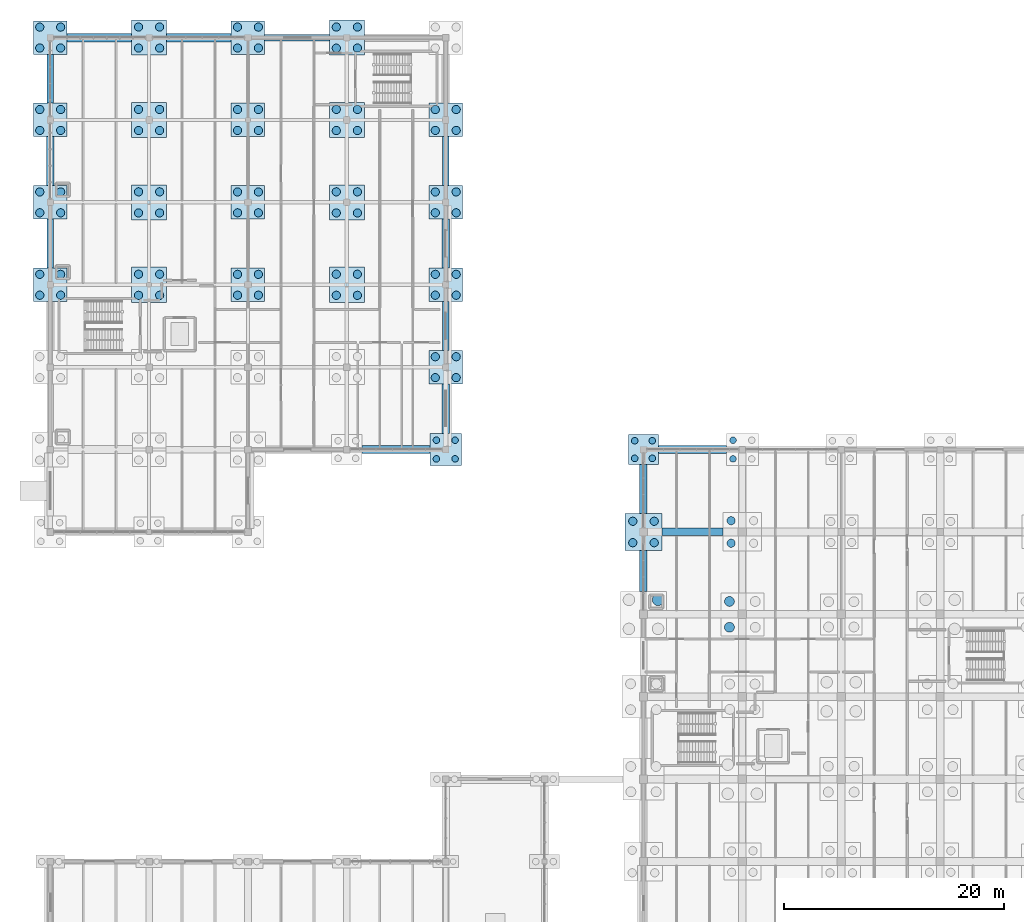
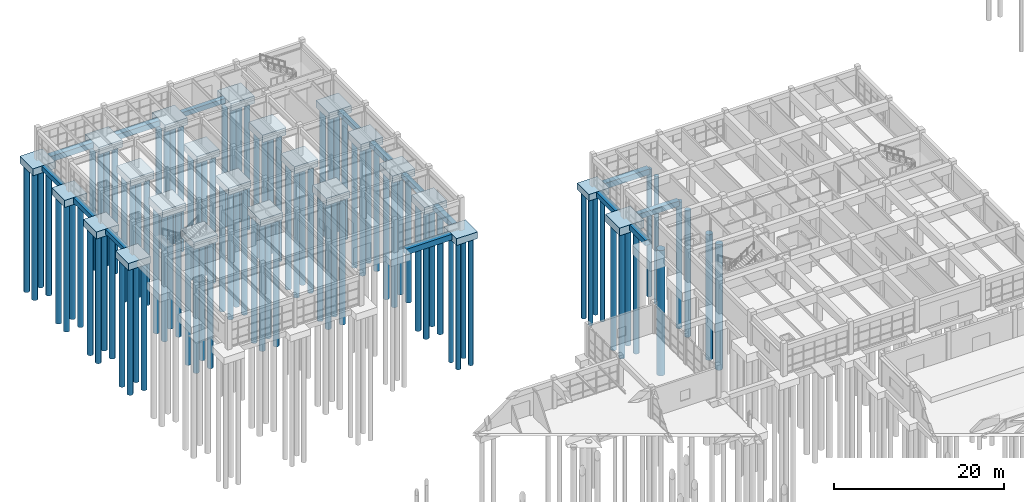
# One storey, part 6 of 93: 99 piles, 38 footings.
"""IFC4 building model written with IfcOpenShell, lengths in metres."""

from ifc_helpers import new_model, si_unit, direction, frame, origin, origin_2d, place, context, subcontext, project, spatial, rectangle, circle, extrude, material, material_profile, profile_set, type_object, element, save


model = new_model("IFC4")

# Units and contexts
model_context = context("Model", 3, precision=1e-05, world=origin(), true_north=direction((0.0, 1.0)))
body_context = subcontext(model_context, "Body", "Model", "MODEL_VIEW")
ifc_project = project(units=[si_unit("LENGTHUNIT", "METRE"), si_unit("AREAUNIT", "SQUARE_METRE"), si_unit("VOLUMEUNIT", "CUBIC_METRE"), si_unit("PLANEANGLEUNIT", "RADIAN"), si_unit("MASSUNIT", "GRAM", prefix="KILO")], contexts=[model_context])

# Site, building, storey
site_placement = place(None, origin())
site = spatial("IfcSite", under=ifc_project, at=site_placement, CompositionType="ELEMENT")
building_placement = place(site_placement, origin())
building = spatial("IfcBuilding", under=site, at=building_placement, Name="Marnridge Secondary College", CompositionType="ELEMENT")
storey_placement = place(building_placement, origin())
storey = spatial("IfcBuildingStorey", under=building, at=storey_placement, Name="L00", CompositionType="ELEMENT", Elevation=0.0)

# Footings
ifc_material_1 = material(Name="Concrete C40/50 (AS 3600 N40, 40 MPa)", Category="concrete")
footing_type_1 = type_object("IfcFootingType", Name="FT-PC-2750", PredefinedType="PILE_CAP", material=ifc_material_1)
footing_1_placement = place(storey_placement, frame((54.0, 82.5, -1.2001953125), z_axis=(0.0, 0.0, 1.0), x_axis=(1.0, 0.0, 0.0)))
element("IfcFooting", 1, at=footing_1_placement, inside=storey, type_object=footing_type_1, Name="Pile cap PC-123", PredefinedType="PILE_CAP", context=body_context, shape_type="SweptSolid", body=[
    extrude(rectangle(XDim=2.75, YDim=2.75, at=origin_2d()), origin(), (0.0, 0.0, 1.0), 0.949951171875),
])
ifc_material_2 = material(Name="Concrete C40/50 (AS 3600 N40, 40 MPa)", Category="concrete")
footing_type_2 = type_object("IfcFootingType", Name="FT-PC-2900", PredefinedType="PILE_CAP", material=ifc_material_2)
footing_2_placement = place(storey_placement, frame((36.0, 82.5, -1.22998046875), z_axis=(0.0, 0.0, 1.0), x_axis=(1.0, 0.0, 0.0)))
element("IfcFooting", 2, at=footing_2_placement, inside=storey, type_object=footing_type_2, Name="Pile cap PC-122", PredefinedType="PILE_CAP", context=body_context, shape_type="SweptSolid", body=[
    extrude(rectangle(XDim=2.89990234375, YDim=2.89990234375, at=origin_2d()), origin(), (0.0, 0.0, 1.0), 0.97998046875),
])
ifc_material_3 = material(Name="Concrete C40/50 (AS 3600 N40, 40 MPa)", Category="concrete")
footing_type_3 = type_object("IfcFootingType", Name="FT-PC-3050", PredefinedType="PILE_CAP", material=ifc_material_3)
for number, where, z_axis, x_axis, name in (
    (3, (36.0, 90.0, -1.25), (0.0, 0.0, 1.0), (1.0, 0.0, 0.0), "Pile cap PC-135"),
    (4, (0.0, 97.5, -1.25), (0.0, 0.0, 1.0), (1.0, 0.0, 0.0), "Pile cap PC-139"),
    (5, (18.0, 97.5, -1.25), (0.0, 0.0, 1.0), (1.0, 0.0, 0.0), "Pile cap PC-141"),
    (6, (36.0, 97.5, -1.25), (0.0, 0.0, 1.0), (1.0, 0.0, 0.0), "Pile cap PC-143"),
    (7, (0.0, 105.0, -1.25), (0.0, 0.0, 1.0), (1.0, 0.0, 0.0), "Pile cap PC-147"),
    (8, (18.0, 105.0, -1.25), (0.0, 0.0, 1.0), (1.0, 0.0, 0.0), "Pile cap PC-149"),
    (9, (36.0, 105.0, -1.25), (0.0, 0.0, 1.0), (1.0, 0.0, 0.0), "Pile cap PC-151"),
    (10, (0.0, 112.5, -1.25), (0.0, 0.0, 1.0), (1.0, 0.0, 0.0), "Pile cap PC-155"),
    (11, (18.0, 112.5, -1.25), (0.0, 0.0, 1.0), (1.0, 0.0, 0.0), "Pile cap PC-157"),
    (12, (36.0, 112.5, -1.25), (0.0, 0.0, 1.0), (1.0, 0.0, 0.0), "Pile cap PC-159"),
    (13, (0.0, 120.0, -1.25), (0.0, 0.0, 1.0), (1.0, 0.0, 0.0), "Pile cap PC-163"),
    (14, (18.0, 120.0, -1.25), (0.0, 0.0, 1.0), (1.0, 0.0, 0.0), "Pile cap PC-165"),
):
    element("IfcFooting", number, at=place(storey_placement, frame(where, z_axis=z_axis, x_axis=x_axis)), inside=storey, type_object=footing_type_3, Name=name, PredefinedType="PILE_CAP", context=body_context, shape_type="SweptSolid", body=[
        extrude(rectangle(XDim=3.050048828125, YDim=3.050048828125, at=origin_2d()), origin(), (0.0, 0.0, 1.0), 1.0),
    ])
ifc_material_4 = material(Name="Concrete C40/50 (AS 3600 N40, 40 MPa)", Category="concrete")
footing_type_4 = type_object("IfcFootingType", Name="FT-PC-3200", PredefinedType="PILE_CAP", material=ifc_material_4)
for number, where, z_axis, x_axis, name in (
    (15, (9.0, 97.5, -1.2998046875), (0.0, 0.0, 1.0), (1.0, 0.0, 0.0), "Pile cap PC-140"),
    (16, (27.0, 97.5, -1.2998046875), (0.0, 0.0, 1.0), (1.0, 0.0, 0.0), "Pile cap PC-142"),
    (17, (9.0, 105.0, -1.2998046875), (0.0, 0.0, 1.0), (1.0, 0.0, 0.0), "Pile cap PC-148"),
    (18, (27.0, 105.0, -1.2998046875), (0.0, 0.0, 1.0), (1.0, 0.0, 0.0), "Pile cap PC-150"),
    (19, (9.0, 112.5, -1.2998046875), (0.0, 0.0, 1.0), (1.0, 0.0, 0.0), "Pile cap PC-156"),
    (20, (27.0, 112.5, -1.2998046875), (0.0, 0.0, 1.0), (1.0, 0.0, 0.0), "Pile cap PC-158"),
    (21, (9.0, 120.0, -1.2998046875), (0.0, 0.0, 1.0), (1.0, 0.0, 0.0), "Pile cap PC-164"),
    (22, (27.0, 120.0, -1.2998046875), (0.0, 0.0, 1.0), (1.0, 0.0, 0.0), "Pile cap PC-166"),
):
    element("IfcFooting", number, at=place(storey_placement, frame(where, z_axis=z_axis, x_axis=x_axis)), inside=storey, type_object=footing_type_4, Name=name, PredefinedType="PILE_CAP", context=body_context, shape_type="SweptSolid", body=[
        extrude(rectangle(XDim=3.199951171875, YDim=3.199951171875, at=origin_2d()), origin(), (0.0, 0.0, 1.0), 1.050048828125),
    ])
ifc_material_5 = material(Name="Concrete C40/50 (AS 3600 N40, 40 MPa)", Category="concrete")
footing_type_5 = type_object("IfcFootingType", Name="FT-PC-3350", PredefinedType="PILE_CAP", material=ifc_material_5)
footing_3_placement = place(storey_placement, frame((54.0, 75.0, -1.35009765625), z_axis=(0.0, 0.0, 1.0), x_axis=(1.0, 0.0, 0.0)))
element("IfcFooting", 23, at=footing_3_placement, inside=storey, type_object=footing_type_5, Name="Pile cap PC-107", PredefinedType="PILE_CAP", context=body_context, shape_type="SweptSolid", body=[
    extrude(rectangle(XDim=3.35009765625, YDim=3.35009765625, at=origin_2d()), origin(), (0.0, 0.0, 1.0), 1.10009765625),
])
ifc_material_6 = material(Name="Concrete C40/50 (AS 3600 N40, 40 MPa)", Category="concrete")
footing_type_6 = type_object("IfcFootingType", Name="FT-SF-600", PredefinedType="STRIP_FOOTING", material=ifc_material_6)
for number, where, z_axis, x_axis, name in (
    (24, (0.0, 101.25, -0.9501953125), (0.0, 0.0, 1.0), (1.0, 0.0, 0.0), "Ground strip footing SF-015"),
    (25, (0.0, 116.25, -0.9501953125), (0.0, 0.0, 1.0), (1.0, 0.0, 0.0), "Ground strip footing SF-017"),
):
    element("IfcFooting", number, at=place(storey_placement, frame(where, z_axis=z_axis, x_axis=x_axis)), inside=storey, type_object=footing_type_6, Name=name, PredefinedType="STRIP_FOOTING", context=body_context, shape_type="SweptSolid", body=[
        extrude(rectangle(XDim=0.60009765625, YDim=4.449951171875, at=origin_2d()), origin(), (0.0, 0.0, 1.0), 0.699951171875),
    ])
footing_4_placement = place(storey_placement, frame((22.46240234375, 120.0, -0.9501953125), z_axis=(0.0, 0.0, 1.0), x_axis=(1.0, 0.0, 0.0)))
element("IfcFooting", 26, at=footing_4_placement, inside=storey, type_object=footing_type_6, Name="Ground strip footing SF-029", PredefinedType="STRIP_FOOTING", context=body_context, shape_type="SweptSolid", body=[
    extrude(rectangle(XDim=5.875, YDim=0.60009765625, at=origin_2d()), origin(), (0.0, 0.0, 1.0), 0.699951171875),
])
for number, where, z_axis, x_axis, name in (
    (27, (36.0, 93.75, -0.9501953125), (0.0, 0.0, 1.0), (1.0, 0.0, 0.0), "Ground strip footing SF-047"),
    (28, (36.0, 108.75, -0.9501953125), (0.0, 0.0, 1.0), (1.0, 0.0, 0.0), "Ground strip footing SF-049"),
):
    element("IfcFooting", number, at=place(storey_placement, frame(where, z_axis=z_axis, x_axis=x_axis)), inside=storey, type_object=footing_type_6, Name=name, PredefinedType="STRIP_FOOTING", context=body_context, shape_type="SweptSolid", body=[
        extrude(rectangle(XDim=0.60009765625, YDim=4.449951171875, at=origin_2d()), origin(), (0.0, 0.0, 1.0), 0.699951171875),
    ])
ifc_material_7 = material(Name="Concrete C40/50 (AS 3600 N40, 40 MPa)", Category="concrete")
footing_type_7 = type_object("IfcFootingType", Name="FT-SF-680", PredefinedType="STRIP_FOOTING", material=ifc_material_7)
footing_5_placement = place(storey_placement, frame((0.0, 108.75, -1.009765625), z_axis=(0.0, 0.0, 1.0), x_axis=(1.0, 0.0, 0.0)))
element("IfcFooting", 29, at=footing_5_placement, inside=storey, type_object=footing_type_7, Name="Ground strip footing SF-016", PredefinedType="STRIP_FOOTING", context=body_context, shape_type="SweptSolid", body=[
    extrude(rectangle(XDim=0.679931640625, YDim=4.449951171875, at=origin_2d()), origin(), (0.0, 0.0, 1.0), 0.760009765625),
])
footing_6_placement = place(storey_placement, frame((36.0, 86.21240234375, -1.009765625), z_axis=(0.0, 0.0, 1.0), x_axis=(1.0, 0.0, 0.0)))
element("IfcFooting", 30, at=footing_6_placement, inside=storey, type_object=footing_type_7, Name="Ground strip footing SF-046", PredefinedType="STRIP_FOOTING", context=body_context, shape_type="SweptSolid", body=[
    extrude(rectangle(XDim=0.679931640625, YDim=4.52490234375, at=origin_2d()), origin(), (0.0, 0.0, 1.0), 0.760009765625),
])
footing_7_placement = place(storey_placement, frame((36.0, 101.25, -1.009765625), z_axis=(0.0, 0.0, 1.0), x_axis=(1.0, 0.0, 0.0)))
element("IfcFooting", 31, at=footing_7_placement, inside=storey, type_object=footing_type_7, Name="Ground strip footing SF-048", PredefinedType="STRIP_FOOTING", context=body_context, shape_type="SweptSolid", body=[
    extrude(rectangle(XDim=0.679931640625, YDim=4.449951171875, at=origin_2d()), origin(), (0.0, 0.0, 1.0), 0.760009765625),
])
footing_8_placement = place(storey_placement, frame((54.0, 71.46240234375, -1.009765625), z_axis=(0.0, 0.0, 1.0), x_axis=(1.0, 0.0, 0.0)))
element("IfcFooting", 32, at=footing_8_placement, inside=storey, type_object=footing_type_7, Name="Ground strip footing SF-066", PredefinedType="STRIP_FOOTING", context=body_context, shape_type="SweptSolid", body=[
    extrude(rectangle(XDim=0.679931640625, YDim=3.72509765625, at=origin_2d()), origin(), (0.0, 0.0, 1.0), 0.760009765625),
])
footing_9_placement = place(storey_placement, frame((58.46240234375, 75.0, -1.009765625), z_axis=(0.0, 0.0, 1.0), x_axis=(1.0, 0.0, 0.0)))
element("IfcFooting", 33, at=footing_9_placement, inside=storey, type_object=footing_type_7, Name="Ground strip footing SF-067", PredefinedType="STRIP_FOOTING", context=body_context, shape_type="SweptSolid", body=[
    extrude(rectangle(XDim=5.574951171875, YDim=0.679931640625, at=origin_2d()), origin(), (0.0, 0.0, 1.0), 0.760009765625),
])
footing_10_placement = place(storey_placement, frame((54.0, 78.89990234375, -1.009765625), z_axis=(0.0, 0.0, 1.0), x_axis=(1.0, 0.0, 0.0)))
element("IfcFooting", 34, at=footing_10_placement, inside=storey, type_object=footing_type_7, Name="Ground strip footing SF-068", PredefinedType="STRIP_FOOTING", context=body_context, shape_type="SweptSolid", body=[
    extrude(rectangle(XDim=0.679931640625, YDim=4.449951171875, at=origin_2d()), origin(), (0.0, 0.0, 1.0), 0.760009765625),
])
ifc_material_8 = material(Name="Concrete C40/50 (AS 3600 N40, 40 MPa)", Category="concrete")
footing_type_8 = type_object("IfcFootingType", Name="FT-SF-760", PredefinedType="STRIP_FOOTING", material=ifc_material_8)
for number, where, z_axis, x_axis, name in (
    (35, (4.46240234375, 120.0, -1.06982421875), (0.0, 0.0, 1.0), (1.0, 0.0, 0.0), "Ground strip footing SF-018"),
    (36, (13.53759765625, 120.0, -1.06982421875), (0.0, 0.0, 1.0), (1.0, 0.0, 0.0), "Ground strip footing SF-024"),
):
    element("IfcFooting", number, at=place(storey_placement, frame(where, z_axis=z_axis, x_axis=x_axis)), inside=storey, type_object=footing_type_8, Name=name, PredefinedType="STRIP_FOOTING", context=body_context, shape_type="SweptSolid", body=[
        extrude(rectangle(XDim=5.875, YDim=0.760009765625, at=origin_2d()), origin(), (0.0, 0.0, 1.0), 0.820068359375),
    ])
for number, where, z_axis, x_axis, name in (
    (37, (31.46240234375, 82.5, -1.06982421875), (0.0, 0.0, 1.0), (1.0, 0.0, 0.0), "Ground strip footing SF-033"),
    (38, (58.46240234375, 82.5, -1.06982421875), (0.0, 0.0, 1.0), (1.0, 0.0, 0.0), "Ground strip footing SF-069"),
):
    element("IfcFooting", number, at=place(storey_placement, frame(where, z_axis=z_axis, x_axis=x_axis)), inside=storey, type_object=footing_type_8, Name=name, PredefinedType="STRIP_FOOTING", context=body_context, shape_type="SweptSolid", body=[
        extrude(rectangle(XDim=6.175048828125, YDim=0.760009765625, at=origin_2d()), origin(), (0.0, 0.0, 1.0), 0.820068359375),
    ])

# Piles
ifc_material_9 = material(Name="Concrete C50/60 (AS 3600 N50, 50 MPa)", Category="concrete")
ifc_material_profile_1 = material_profile(ifc_material_9, circle(Radius=0.52490234375, at=origin_2d()), Name="PILE D1050")
ifc_profile_set_1 = profile_set([ifc_material_profile_1], Name="Concrete C50/60 (AS 3600 N50, 50 MPa)")
pile_type_1 = type_object("IfcPileType", Name="PL-D1050-N50", PredefinedType="BORED", material=ifc_profile_set_1)
pile_placement = place(storey_placement, frame((55.324951171875, 68.824951171875, -1.449951171875), z_axis=(0.0, 0.0, -1.0), x_axis=(1.0, 0.0, 0.0)))
element("IfcPile", 39, at=pile_placement, inside=storey, type_object=pile_type_1, Name="Bored pile PL-372", PredefinedType="BORED", context=body_context, shape_type="SweptSolid", body=[
    extrude(circle(Radius=0.52490234375, at=origin_2d()), origin(), (0.0, 0.0, 1.0), 18.050048828125),
])
ifc_material_10 = material(Name="Concrete C40/50 (AS 3600 N40, 40 MPa)", Category="concrete")
ifc_material_profile_2 = material_profile(ifc_material_10, circle(Radius=0.300048828125, at=origin_2d()), Name="PILE D600")
ifc_profile_set_2 = profile_set([ifc_material_profile_2], Name="Concrete C40/50 (AS 3600 N40, 40 MPa)")
pile_type_2 = type_object("IfcPileType", Name="PL-D600-N40", PredefinedType="BORED", material=ifc_profile_set_2)
for number, where, z_axis, x_axis, name in (
    (40, (35.14990234375, 81.64990234375, -1.1298828125), (0.0, 0.0, -1.0), (1.0, 0.0, 0.0), "Bored pile PL-461"),
    (41, (36.85009765625, 81.64990234375, -1.1298828125), (0.0, 0.0, -1.0), (1.0, 0.0, 0.0), "Bored pile PL-462"),
    (42, (35.14990234375, 83.35009765625, -1.1298828125), (0.0, 0.0, -1.0), (1.0, 0.0, 0.0), "Bored pile PL-463"),
    (43, (36.85009765625, 83.35009765625, -1.1298828125), (0.0, 0.0, -1.0), (1.0, 0.0, 0.0), "Bored pile PL-464"),
):
    element("IfcPile", number, at=place(storey_placement, frame(where, z_axis=z_axis, x_axis=x_axis)), inside=storey, type_object=pile_type_2, Name=name, PredefinedType="BORED", context=body_context, shape_type="SweptSolid", body=[
        extrude(circle(Radius=0.300048828125, at=origin_2d()), origin(), (0.0, 0.0, 1.0), 18.3701171875),
    ])
for number, where, z_axis, x_axis, name in (
    (44, (53.199951171875, 81.699951171875, -1.10009765625), (0.0, 0.0, -1.0), (1.0, 0.0, 0.0), "Bored pile PL-465"),
    (45, (54.800048828125, 81.699951171875, -1.10009765625), (0.0, 0.0, -1.0), (1.0, 0.0, 0.0), "Bored pile PL-466"),
    (46, (53.199951171875, 83.300048828125, -1.10009765625), (0.0, 0.0, -1.0), (1.0, 0.0, 0.0), "Bored pile PL-467"),
    (47, (54.800048828125, 83.300048828125, -1.10009765625), (0.0, 0.0, -1.0), (1.0, 0.0, 0.0), "Bored pile PL-468"),
):
    element("IfcPile", number, at=place(storey_placement, frame(where, z_axis=z_axis, x_axis=x_axis)), inside=storey, type_object=pile_type_2, Name=name, PredefinedType="BORED", context=body_context, shape_type="SweptSolid", body=[
        extrude(circle(Radius=0.300048828125, at=origin_2d()), origin(), (0.0, 0.0, 1.0), 18.39990234375),
    ])
for number, where, z_axis, x_axis, name in (
    (48, (62.14990234375, 81.64990234375, -1.1298828125), (0.0, 0.0, -1.0), (1.0, 0.0, 0.0), "Bored pile PL-469"),
    (49, (62.14990234375, 83.35009765625, -1.1298828125), (0.0, 0.0, -1.0), (1.0, 0.0, 0.0), "Bored pile PL-471"),
):
    element("IfcPile", number, at=place(storey_placement, frame(where, z_axis=z_axis, x_axis=x_axis)), inside=storey, type_object=pile_type_2, Name=name, PredefinedType="BORED", context=body_context, shape_type="SweptSolid", body=[
        extrude(circle(Radius=0.300048828125, at=origin_2d()), origin(), (0.0, 0.0, 1.0), 18.3701171875),
    ])
ifc_material_11 = material(Name="Concrete C40/50 (AS 3600 N40, 40 MPa)", Category="concrete")
ifc_material_profile_3 = material_profile(ifc_material_11, circle(Radius=0.375, at=origin_2d()), Name="PILE D750")
ifc_profile_set_3 = profile_set([ifc_material_profile_3], Name="Concrete C40/50 (AS 3600 N40, 40 MPa)")
pile_type_3 = type_object("IfcPileType", Name="PL-D750-N40", PredefinedType="BORED", material=ifc_profile_set_3)
for number, where, z_axis, x_axis, name in (
    (50, (53.02490234375, 74.02490234375, -1.25), (0.0, 0.0, -1.0), (1.0, 0.0, 0.0), "Bored pile PL-401"),
    (51, (54.97509765625, 74.02490234375, -1.25), (0.0, 0.0, -1.0), (1.0, 0.0, 0.0), "Bored pile PL-402"),
    (52, (53.02490234375, 75.97509765625, -1.25), (0.0, 0.0, -1.0), (1.0, 0.0, 0.0), "Bored pile PL-403"),
    (53, (54.97509765625, 75.97509765625, -1.25), (0.0, 0.0, -1.0), (1.0, 0.0, 0.0), "Bored pile PL-404"),
):
    element("IfcPile", number, at=place(storey_placement, frame(where, z_axis=z_axis, x_axis=x_axis)), inside=storey, type_object=pile_type_3, Name=name, PredefinedType="BORED", context=body_context, shape_type="SweptSolid", body=[
        extrude(circle(Radius=0.375, at=origin_2d()), origin(), (0.0, 0.0, 1.0), 18.25),
    ])
for number, where, z_axis, x_axis, name in (
    (54, (61.97509765625, 73.97509765625, -1.300048828125), (0.0, 0.0, -1.0), (1.0, 0.0, 0.0), "Bored pile PL-405"),
    (55, (61.97509765625, 76.02490234375, -1.300048828125), (0.0, 0.0, -1.0), (1.0, 0.0, 0.0), "Bored pile PL-407"),
):
    element("IfcPile", number, at=place(storey_placement, frame(where, z_axis=z_axis, x_axis=x_axis)), inside=storey, type_object=pile_type_3, Name=name, PredefinedType="BORED", context=body_context, shape_type="SweptSolid", body=[
        extrude(circle(Radius=0.375, at=origin_2d()), origin(), (0.0, 0.0, 1.0), 18.199951171875),
    ])
for number, where, z_axis, x_axis, name in (
    (56, (35.050048828125, 89.050048828125, -1.14990234375), (0.0, 0.0, -1.0), (1.0, 0.0, 0.0), "Bored pile PL-511"),
    (57, (36.949951171875, 89.050048828125, -1.14990234375), (0.0, 0.0, -1.0), (1.0, 0.0, 0.0), "Bored pile PL-512"),
    (58, (35.050048828125, 90.949951171875, -1.14990234375), (0.0, 0.0, -1.0), (1.0, 0.0, 0.0), "Bored pile PL-513"),
    (59, (36.949951171875, 90.949951171875, -1.14990234375), (0.0, 0.0, -1.0), (1.0, 0.0, 0.0), "Bored pile PL-514"),
    (60, (-0.949951171875, 96.550048828125, -1.14990234375), (0.0, 0.0, -1.0), (1.0, 0.0, 0.0), "Bored pile PL-525"),
    (61, (0.949951171875, 96.550048828125, -1.14990234375), (0.0, 0.0, -1.0), (1.0, 0.0, 0.0), "Bored pile PL-526"),
    (62, (-0.949951171875, 98.449951171875, -1.14990234375), (0.0, 0.0, -1.0), (1.0, 0.0, 0.0), "Bored pile PL-527"),
    (63, (0.949951171875, 98.449951171875, -1.14990234375), (0.0, 0.0, -1.0), (1.0, 0.0, 0.0), "Bored pile PL-528"),
):
    element("IfcPile", number, at=place(storey_placement, frame(where, z_axis=z_axis, x_axis=x_axis)), inside=storey, type_object=pile_type_3, Name=name, PredefinedType="BORED", context=body_context, shape_type="SweptSolid", body=[
        extrude(circle(Radius=0.375, at=origin_2d()), origin(), (0.0, 0.0, 1.0), 18.35009765625),
    ])
for number, where, z_axis, x_axis, name in (
    (64, (8.0400390625, 96.5400390625, -1.199951171875), (0.0, 0.0, -1.0), (1.0, 0.0, 0.0), "Bored pile PL-529"),
    (65, (9.9599609375, 96.5400390625, -1.199951171875), (0.0, 0.0, -1.0), (1.0, 0.0, 0.0), "Bored pile PL-530"),
    (66, (8.0400390625, 98.4599609375, -1.199951171875), (0.0, 0.0, -1.0), (1.0, 0.0, 0.0), "Bored pile PL-531"),
    (67, (9.9599609375, 98.4599609375, -1.199951171875), (0.0, 0.0, -1.0), (1.0, 0.0, 0.0), "Bored pile PL-532"),
):
    element("IfcPile", number, at=place(storey_placement, frame(where, z_axis=z_axis, x_axis=x_axis)), inside=storey, type_object=pile_type_3, Name=name, PredefinedType="BORED", context=body_context, shape_type="SweptSolid", body=[
        extrude(circle(Radius=0.375, at=origin_2d()), origin(), (0.0, 0.0, 1.0), 18.300048828125),
    ])
for number, where, z_axis, x_axis, name in (
    (68, (17.050048828125, 96.550048828125, -1.14990234375), (0.0, 0.0, -1.0), (1.0, 0.0, 0.0), "Bored pile PL-533"),
    (69, (18.949951171875, 96.550048828125, -1.14990234375), (0.0, 0.0, -1.0), (1.0, 0.0, 0.0), "Bored pile PL-534"),
    (70, (17.050048828125, 98.449951171875, -1.14990234375), (0.0, 0.0, -1.0), (1.0, 0.0, 0.0), "Bored pile PL-535"),
    (71, (18.949951171875, 98.449951171875, -1.14990234375), (0.0, 0.0, -1.0), (1.0, 0.0, 0.0), "Bored pile PL-536"),
):
    element("IfcPile", number, at=place(storey_placement, frame(where, z_axis=z_axis, x_axis=x_axis)), inside=storey, type_object=pile_type_3, Name=name, PredefinedType="BORED", context=body_context, shape_type="SweptSolid", body=[
        extrude(circle(Radius=0.375, at=origin_2d()), origin(), (0.0, 0.0, 1.0), 18.35009765625),
    ])
for number, where, z_axis, x_axis, name in (
    (72, (26.0400390625, 96.5400390625, -1.199951171875), (0.0, 0.0, -1.0), (1.0, 0.0, 0.0), "Bored pile PL-537"),
    (73, (27.9599609375, 96.5400390625, -1.199951171875), (0.0, 0.0, -1.0), (1.0, 0.0, 0.0), "Bored pile PL-538"),
    (74, (26.0400390625, 98.4599609375, -1.199951171875), (0.0, 0.0, -1.0), (1.0, 0.0, 0.0), "Bored pile PL-539"),
    (75, (27.9599609375, 98.4599609375, -1.199951171875), (0.0, 0.0, -1.0), (1.0, 0.0, 0.0), "Bored pile PL-540"),
):
    element("IfcPile", number, at=place(storey_placement, frame(where, z_axis=z_axis, x_axis=x_axis)), inside=storey, type_object=pile_type_3, Name=name, PredefinedType="BORED", context=body_context, shape_type="SweptSolid", body=[
        extrude(circle(Radius=0.375, at=origin_2d()), origin(), (0.0, 0.0, 1.0), 18.300048828125),
    ])
for number, where, z_axis, x_axis, name in (
    (76, (35.050048828125, 96.550048828125, -1.14990234375), (0.0, 0.0, -1.0), (1.0, 0.0, 0.0), "Bored pile PL-541"),
    (77, (36.949951171875, 96.550048828125, -1.14990234375), (0.0, 0.0, -1.0), (1.0, 0.0, 0.0), "Bored pile PL-542"),
    (78, (35.050048828125, 98.449951171875, -1.14990234375), (0.0, 0.0, -1.0), (1.0, 0.0, 0.0), "Bored pile PL-543"),
    (79, (36.949951171875, 98.449951171875, -1.14990234375), (0.0, 0.0, -1.0), (1.0, 0.0, 0.0), "Bored pile PL-544"),
    (80, (-0.949951171875, 104.050048828125, -1.14990234375), (0.0, 0.0, -1.0), (1.0, 0.0, 0.0), "Bored pile PL-555"),
    (81, (0.949951171875, 104.050048828125, -1.14990234375), (0.0, 0.0, -1.0), (1.0, 0.0, 0.0), "Bored pile PL-556"),
    (82, (-0.949951171875, 105.949951171875, -1.14990234375), (0.0, 0.0, -1.0), (1.0, 0.0, 0.0), "Bored pile PL-557"),
    (83, (0.949951171875, 105.949951171875, -1.14990234375), (0.0, 0.0, -1.0), (1.0, 0.0, 0.0), "Bored pile PL-558"),
):
    element("IfcPile", number, at=place(storey_placement, frame(where, z_axis=z_axis, x_axis=x_axis)), inside=storey, type_object=pile_type_3, Name=name, PredefinedType="BORED", context=body_context, shape_type="SweptSolid", body=[
        extrude(circle(Radius=0.375, at=origin_2d()), origin(), (0.0, 0.0, 1.0), 18.35009765625),
    ])
for number, where, z_axis, x_axis, name in (
    (84, (8.0400390625, 104.0400390625, -1.199951171875), (0.0, 0.0, -1.0), (1.0, 0.0, 0.0), "Bored pile PL-559"),
    (85, (9.9599609375, 104.0400390625, -1.199951171875), (0.0, 0.0, -1.0), (1.0, 0.0, 0.0), "Bored pile PL-560"),
    (86, (8.0400390625, 105.9599609375, -1.199951171875), (0.0, 0.0, -1.0), (1.0, 0.0, 0.0), "Bored pile PL-561"),
    (87, (9.9599609375, 105.9599609375, -1.199951171875), (0.0, 0.0, -1.0), (1.0, 0.0, 0.0), "Bored pile PL-562"),
):
    element("IfcPile", number, at=place(storey_placement, frame(where, z_axis=z_axis, x_axis=x_axis)), inside=storey, type_object=pile_type_3, Name=name, PredefinedType="BORED", context=body_context, shape_type="SweptSolid", body=[
        extrude(circle(Radius=0.375, at=origin_2d()), origin(), (0.0, 0.0, 1.0), 18.300048828125),
    ])
for number, where, z_axis, x_axis, name in (
    (88, (17.050048828125, 104.050048828125, -1.14990234375), (0.0, 0.0, -1.0), (1.0, 0.0, 0.0), "Bored pile PL-563"),
    (89, (18.949951171875, 104.050048828125, -1.14990234375), (0.0, 0.0, -1.0), (1.0, 0.0, 0.0), "Bored pile PL-564"),
    (90, (17.050048828125, 105.949951171875, -1.14990234375), (0.0, 0.0, -1.0), (1.0, 0.0, 0.0), "Bored pile PL-565"),
    (91, (18.949951171875, 105.949951171875, -1.14990234375), (0.0, 0.0, -1.0), (1.0, 0.0, 0.0), "Bored pile PL-566"),
):
    element("IfcPile", number, at=place(storey_placement, frame(where, z_axis=z_axis, x_axis=x_axis)), inside=storey, type_object=pile_type_3, Name=name, PredefinedType="BORED", context=body_context, shape_type="SweptSolid", body=[
        extrude(circle(Radius=0.375, at=origin_2d()), origin(), (0.0, 0.0, 1.0), 18.35009765625),
    ])
for number, where, z_axis, x_axis, name in (
    (92, (26.0400390625, 104.0400390625, -1.199951171875), (0.0, 0.0, -1.0), (1.0, 0.0, 0.0), "Bored pile PL-567"),
    (93, (27.9599609375, 104.0400390625, -1.199951171875), (0.0, 0.0, -1.0), (1.0, 0.0, 0.0), "Bored pile PL-568"),
    (94, (26.0400390625, 105.9599609375, -1.199951171875), (0.0, 0.0, -1.0), (1.0, 0.0, 0.0), "Bored pile PL-569"),
    (95, (27.9599609375, 105.9599609375, -1.199951171875), (0.0, 0.0, -1.0), (1.0, 0.0, 0.0), "Bored pile PL-570"),
):
    element("IfcPile", number, at=place(storey_placement, frame(where, z_axis=z_axis, x_axis=x_axis)), inside=storey, type_object=pile_type_3, Name=name, PredefinedType="BORED", context=body_context, shape_type="SweptSolid", body=[
        extrude(circle(Radius=0.375, at=origin_2d()), origin(), (0.0, 0.0, 1.0), 18.300048828125),
    ])
for number, where, z_axis, x_axis, name in (
    (96, (35.050048828125, 104.050048828125, -1.14990234375), (0.0, 0.0, -1.0), (1.0, 0.0, 0.0), "Bored pile PL-571"),
    (97, (36.949951171875, 104.050048828125, -1.14990234375), (0.0, 0.0, -1.0), (1.0, 0.0, 0.0), "Bored pile PL-572"),
    (98, (35.050048828125, 105.949951171875, -1.14990234375), (0.0, 0.0, -1.0), (1.0, 0.0, 0.0), "Bored pile PL-573"),
    (99, (36.949951171875, 105.949951171875, -1.14990234375), (0.0, 0.0, -1.0), (1.0, 0.0, 0.0), "Bored pile PL-574"),
    (100, (-0.949951171875, 111.550048828125, -1.14990234375), (0.0, 0.0, -1.0), (1.0, 0.0, 0.0), "Bored pile PL-585"),
    (101, (0.949951171875, 111.550048828125, -1.14990234375), (0.0, 0.0, -1.0), (1.0, 0.0, 0.0), "Bored pile PL-586"),
    (102, (-0.949951171875, 113.449951171875, -1.14990234375), (0.0, 0.0, -1.0), (1.0, 0.0, 0.0), "Bored pile PL-587"),
    (103, (0.949951171875, 113.449951171875, -1.14990234375), (0.0, 0.0, -1.0), (1.0, 0.0, 0.0), "Bored pile PL-588"),
):
    element("IfcPile", number, at=place(storey_placement, frame(where, z_axis=z_axis, x_axis=x_axis)), inside=storey, type_object=pile_type_3, Name=name, PredefinedType="BORED", context=body_context, shape_type="SweptSolid", body=[
        extrude(circle(Radius=0.375, at=origin_2d()), origin(), (0.0, 0.0, 1.0), 18.35009765625),
    ])
for number, where, z_axis, x_axis, name in (
    (104, (8.0400390625, 111.5400390625, -1.199951171875), (0.0, 0.0, -1.0), (1.0, 0.0, 0.0), "Bored pile PL-589"),
    (105, (9.9599609375, 111.5400390625, -1.199951171875), (0.0, 0.0, -1.0), (1.0, 0.0, 0.0), "Bored pile PL-590"),
    (106, (8.0400390625, 113.4599609375, -1.199951171875), (0.0, 0.0, -1.0), (1.0, 0.0, 0.0), "Bored pile PL-591"),
    (107, (9.9599609375, 113.4599609375, -1.199951171875), (0.0, 0.0, -1.0), (1.0, 0.0, 0.0), "Bored pile PL-592"),
):
    element("IfcPile", number, at=place(storey_placement, frame(where, z_axis=z_axis, x_axis=x_axis)), inside=storey, type_object=pile_type_3, Name=name, PredefinedType="BORED", context=body_context, shape_type="SweptSolid", body=[
        extrude(circle(Radius=0.375, at=origin_2d()), origin(), (0.0, 0.0, 1.0), 18.300048828125),
    ])
for number, where, z_axis, x_axis, name in (
    (108, (17.050048828125, 111.550048828125, -1.14990234375), (0.0, 0.0, -1.0), (1.0, 0.0, 0.0), "Bored pile PL-593"),
    (109, (18.949951171875, 111.550048828125, -1.14990234375), (0.0, 0.0, -1.0), (1.0, 0.0, 0.0), "Bored pile PL-594"),
    (110, (17.050048828125, 113.449951171875, -1.14990234375), (0.0, 0.0, -1.0), (1.0, 0.0, 0.0), "Bored pile PL-595"),
    (111, (18.949951171875, 113.449951171875, -1.14990234375), (0.0, 0.0, -1.0), (1.0, 0.0, 0.0), "Bored pile PL-596"),
):
    element("IfcPile", number, at=place(storey_placement, frame(where, z_axis=z_axis, x_axis=x_axis)), inside=storey, type_object=pile_type_3, Name=name, PredefinedType="BORED", context=body_context, shape_type="SweptSolid", body=[
        extrude(circle(Radius=0.375, at=origin_2d()), origin(), (0.0, 0.0, 1.0), 18.35009765625),
    ])
for number, where, z_axis, x_axis, name in (
    (112, (26.0400390625, 111.5400390625, -1.199951171875), (0.0, 0.0, -1.0), (1.0, 0.0, 0.0), "Bored pile PL-597"),
    (113, (27.9599609375, 111.5400390625, -1.199951171875), (0.0, 0.0, -1.0), (1.0, 0.0, 0.0), "Bored pile PL-598"),
    (114, (26.0400390625, 113.4599609375, -1.199951171875), (0.0, 0.0, -1.0), (1.0, 0.0, 0.0), "Bored pile PL-599"),
    (115, (27.9599609375, 113.4599609375, -1.199951171875), (0.0, 0.0, -1.0), (1.0, 0.0, 0.0), "Bored pile PL-600"),
):
    element("IfcPile", number, at=place(storey_placement, frame(where, z_axis=z_axis, x_axis=x_axis)), inside=storey, type_object=pile_type_3, Name=name, PredefinedType="BORED", context=body_context, shape_type="SweptSolid", body=[
        extrude(circle(Radius=0.375, at=origin_2d()), origin(), (0.0, 0.0, 1.0), 18.300048828125),
    ])
for number, where, z_axis, x_axis, name in (
    (116, (35.050048828125, 111.550048828125, -1.14990234375), (0.0, 0.0, -1.0), (1.0, 0.0, 0.0), "Bored pile PL-601"),
    (117, (36.949951171875, 111.550048828125, -1.14990234375), (0.0, 0.0, -1.0), (1.0, 0.0, 0.0), "Bored pile PL-602"),
    (118, (35.050048828125, 113.449951171875, -1.14990234375), (0.0, 0.0, -1.0), (1.0, 0.0, 0.0), "Bored pile PL-603"),
    (119, (36.949951171875, 113.449951171875, -1.14990234375), (0.0, 0.0, -1.0), (1.0, 0.0, 0.0), "Bored pile PL-604"),
    (120, (-0.949951171875, 119.050048828125, -1.14990234375), (0.0, 0.0, -1.0), (1.0, 0.0, 0.0), "Bored pile PL-615"),
    (121, (0.949951171875, 119.050048828125, -1.14990234375), (0.0, 0.0, -1.0), (1.0, 0.0, 0.0), "Bored pile PL-616"),
    (122, (-0.949951171875, 120.949951171875, -1.14990234375), (0.0, 0.0, -1.0), (1.0, 0.0, 0.0), "Bored pile PL-617"),
    (123, (0.949951171875, 120.949951171875, -1.14990234375), (0.0, 0.0, -1.0), (1.0, 0.0, 0.0), "Bored pile PL-618"),
):
    element("IfcPile", number, at=place(storey_placement, frame(where, z_axis=z_axis, x_axis=x_axis)), inside=storey, type_object=pile_type_3, Name=name, PredefinedType="BORED", context=body_context, shape_type="SweptSolid", body=[
        extrude(circle(Radius=0.375, at=origin_2d()), origin(), (0.0, 0.0, 1.0), 18.35009765625),
    ])
for number, where, z_axis, x_axis, name in (
    (124, (8.0400390625, 119.0400390625, -1.199951171875), (0.0, 0.0, -1.0), (1.0, 0.0, 0.0), "Bored pile PL-619"),
    (125, (9.9599609375, 119.0400390625, -1.199951171875), (0.0, 0.0, -1.0), (1.0, 0.0, 0.0), "Bored pile PL-620"),
    (126, (8.0400390625, 120.9599609375, -1.199951171875), (0.0, 0.0, -1.0), (1.0, 0.0, 0.0), "Bored pile PL-621"),
    (127, (9.9599609375, 120.9599609375, -1.199951171875), (0.0, 0.0, -1.0), (1.0, 0.0, 0.0), "Bored pile PL-622"),
):
    element("IfcPile", number, at=place(storey_placement, frame(where, z_axis=z_axis, x_axis=x_axis)), inside=storey, type_object=pile_type_3, Name=name, PredefinedType="BORED", context=body_context, shape_type="SweptSolid", body=[
        extrude(circle(Radius=0.375, at=origin_2d()), origin(), (0.0, 0.0, 1.0), 18.300048828125),
    ])
for number, where, z_axis, x_axis, name in (
    (128, (17.050048828125, 119.050048828125, -1.14990234375), (0.0, 0.0, -1.0), (1.0, 0.0, 0.0), "Bored pile PL-623"),
    (129, (18.949951171875, 119.050048828125, -1.14990234375), (0.0, 0.0, -1.0), (1.0, 0.0, 0.0), "Bored pile PL-624"),
    (130, (17.050048828125, 120.949951171875, -1.14990234375), (0.0, 0.0, -1.0), (1.0, 0.0, 0.0), "Bored pile PL-625"),
    (131, (18.949951171875, 120.949951171875, -1.14990234375), (0.0, 0.0, -1.0), (1.0, 0.0, 0.0), "Bored pile PL-626"),
):
    element("IfcPile", number, at=place(storey_placement, frame(where, z_axis=z_axis, x_axis=x_axis)), inside=storey, type_object=pile_type_3, Name=name, PredefinedType="BORED", context=body_context, shape_type="SweptSolid", body=[
        extrude(circle(Radius=0.375, at=origin_2d()), origin(), (0.0, 0.0, 1.0), 18.35009765625),
    ])
for number, where, z_axis, x_axis, name in (
    (132, (26.0400390625, 119.0400390625, -1.199951171875), (0.0, 0.0, -1.0), (1.0, 0.0, 0.0), "Bored pile PL-627"),
    (133, (27.9599609375, 119.0400390625, -1.199951171875), (0.0, 0.0, -1.0), (1.0, 0.0, 0.0), "Bored pile PL-628"),
    (134, (26.0400390625, 120.9599609375, -1.199951171875), (0.0, 0.0, -1.0), (1.0, 0.0, 0.0), "Bored pile PL-629"),
    (135, (27.9599609375, 120.9599609375, -1.199951171875), (0.0, 0.0, -1.0), (1.0, 0.0, 0.0), "Bored pile PL-630"),
):
    element("IfcPile", number, at=place(storey_placement, frame(where, z_axis=z_axis, x_axis=x_axis)), inside=storey, type_object=pile_type_3, Name=name, PredefinedType="BORED", context=body_context, shape_type="SweptSolid", body=[
        extrude(circle(Radius=0.375, at=origin_2d()), origin(), (0.0, 0.0, 1.0), 18.300048828125),
    ])
ifc_material_12 = material(Name="Concrete C50/60 (AS 3600 N50, 50 MPa)", Category="concrete")
ifc_material_profile_4 = material_profile(ifc_material_12, circle(Radius=0.449951171875, at=origin_2d()), Name="PILE D900")
ifc_profile_set_4 = profile_set([ifc_material_profile_4], Name="Concrete C50/60 (AS 3600 N50, 50 MPa)")
pile_type_4 = type_object("IfcPileType", Name="PL-D900-N50", PredefinedType="BORED", material=ifc_profile_set_4)
for number, where, z_axis, x_axis, name in (
    (136, (61.824951171875, 66.324951171875, -1.39990234375), (0.0, 0.0, -1.0), (1.0, 0.0, 0.0), "Bored pile PL-373"),
    (137, (61.824951171875, 68.675048828125, -1.39990234375), (0.0, 0.0, -1.0), (1.0, 0.0, 0.0), "Bored pile PL-375"),
):
    element("IfcPile", number, at=place(storey_placement, frame(where, z_axis=z_axis, x_axis=x_axis)), inside=storey, type_object=pile_type_4, Name=name, PredefinedType="BORED", context=body_context, shape_type="SweptSolid", body=[
        extrude(circle(Radius=0.449951171875, at=origin_2d()), origin(), (0.0, 0.0, 1.0), 18.10009765625),
    ])

save(model, "model.ifc")
